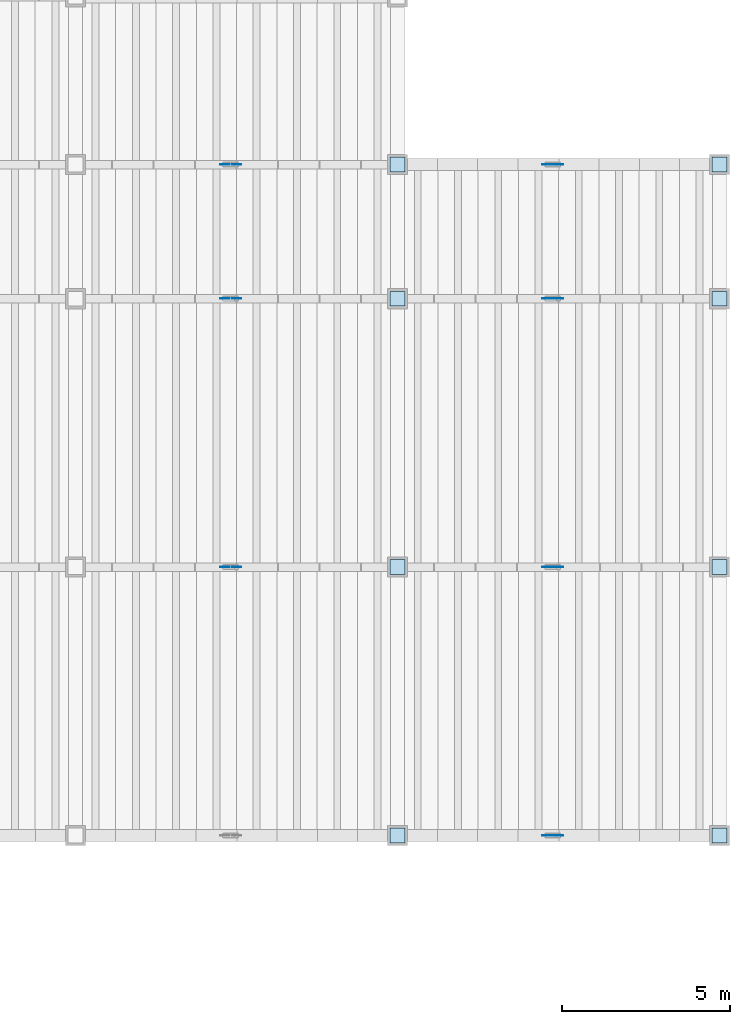
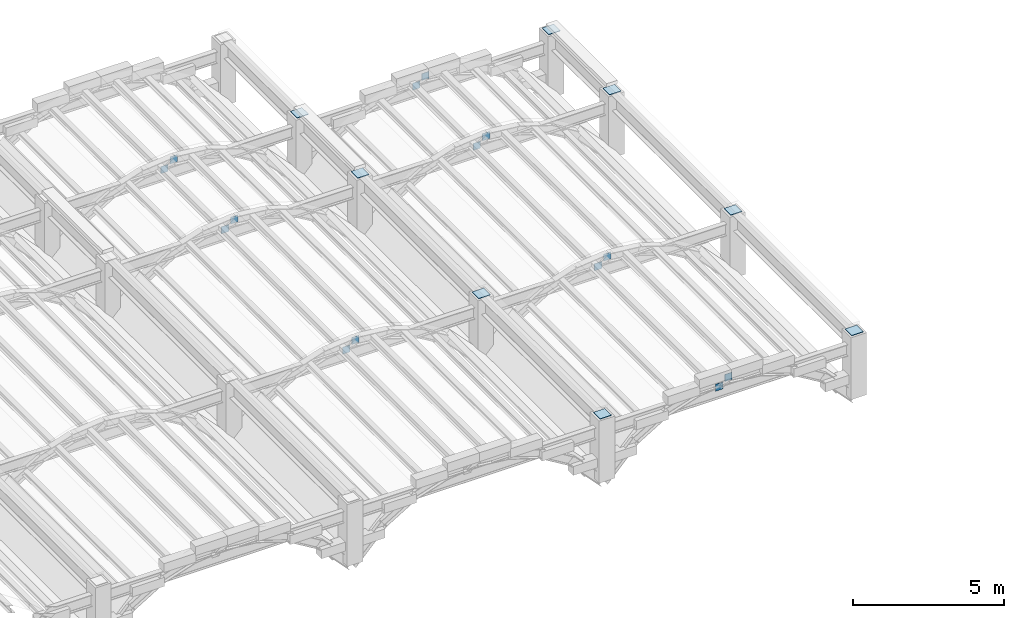
# One storey, part 64 of 70: 22 plates.
"""IFC4 building model written with IfcOpenShell, lengths in metres."""

from ifc_helpers import new_model, si_unit, direction, frame, origin, origin_2d, place, context, subcontext, project, spatial, rectangle, extrude, material, layer, layer_set, type_object, element, save


model = new_model("IFC4")

# Units and contexts
model_context = context("Model", 3, precision=1e-05, world=origin(), true_north=direction((0.0, 1.0)))
body_context = subcontext(model_context, "Body", "Model", "MODEL_VIEW")
ifc_project = project(units=[si_unit("LENGTHUNIT", "METRE"), si_unit("AREAUNIT", "SQUARE_METRE"), si_unit("VOLUMEUNIT", "CUBIC_METRE"), si_unit("PLANEANGLEUNIT", "RADIAN"), si_unit("MASSUNIT", "GRAM", prefix="KILO")], contexts=[model_context])

# Site, building, storey
site_placement = place(None, origin())
site = spatial("IfcSite", under=ifc_project, at=site_placement, CompositionType="ELEMENT")
building_placement = place(site_placement, origin())
building = spatial("IfcBuilding", under=site, at=building_placement, Name="Mavantir Sound Aquarium", CompositionType="ELEMENT")
storey_placement = place(building_placement, frame((0.0, 0.0, 27.0)))
storey = spatial("IfcBuildingStorey", under=building, at=storey_placement, Name="RF", CompositionType="ELEMENT", Elevation=27.0)

# Plates
ifc_material = material(Name="Structural Steel ASTM A572 Gr50", Category="steel")
ifc_layer_1 = layer(ifc_material, 0.02001953125, Name="Structural Steel ASTM A572 Gr50")
ifc_layer_set_1 = layer_set([ifc_layer_1], Name="Structural Steel ASTM A572 Gr50")
plate_type_1 = type_object("IfcPlateType", Name="PLT-ENDCAP-20", PredefinedType="SHEET", material=ifc_layer_set_1)
for number, where, z_axis, x_axis, name in (
    (1, (165.60009765625, 40.800048828125, -4.699951171875), (0.0, 0.0, 1.0), (1.0, 0.0, 0.0), "Ridge column cap plate 7.41"),
    (2, (165.60009765625, 48.800048828125, -4.699951171875), (0.0, 0.0, 1.0), (1.0, 0.0, 0.0), "Ridge column cap plate 7.49"),
    (3, (165.60009765625, 56.800048828125, -4.699951171875), (0.0, 0.0, 1.0), (1.0, 0.0, 0.0), "Ridge column cap plate 7.57"),
    (4, (165.60009765625, 60.800048828125, -4.699951171875), (0.0, 0.0, 1.0), (1.0, 0.0, 0.0), "Ridge column cap plate 7.61"),
    (5, (175.199951171875, 40.800048828125, -4.699951171875), (0.0, 0.0, 1.0), (1.0, 0.0, 0.0), "Ridge column cap plate 8.41"),
    (6, (175.199951171875, 48.800048828125, -4.699951171875), (0.0, 0.0, 1.0), (1.0, 0.0, 0.0), "Ridge column cap plate 8.49"),
    (7, (175.199951171875, 56.800048828125, -4.699951171875), (0.0, 0.0, 1.0), (1.0, 0.0, 0.0), "Ridge column cap plate 8.57"),
    (8, (175.199951171875, 60.800048828125, -4.699951171875), (0.0, 0.0, 1.0), (1.0, 0.0, 0.0), "Ridge column cap plate 8.61"),
):
    element("IfcPlate", number, at=place(storey_placement, frame(where, z_axis=z_axis, x_axis=x_axis)), inside=storey, type_object=plate_type_1, Name=name, PredefinedType="SHEET", context=body_context, shape_type="SweptSolid", body=[
        extrude(rectangle(XDim=0.43994140625, YDim=0.43994140625, at=origin_2d()), origin(), (0.0, 0.0, 1.0), 0.02001953125),
    ])
ifc_layer_2 = layer(ifc_material, 0.01611328125, Name="Structural Steel ASTM A572 Gr50")
ifc_layer_set_2 = layer_set([ifc_layer_2], Name="Structural Steel ASTM A572 Gr50")
plate_type_2 = type_object("IfcPlateType", Name="PLT-GUSSET-16", PredefinedType="SHEET", material=ifc_layer_set_2)
for number, where, z_axis, x_axis, name in (
    (9, (160.449951171875, 48.800048828125, -5.283203125), (0.0, 0.0, 1.0), (1.0, 0.0, 0.0), "Brace end gusset plate GP-01 153"),
    (10, (160.800048828125, 48.800048828125, -5.0166015625), (0.0, 0.0, 1.0), (1.0, 0.0, 0.0), "Brace end gusset plate GP-01 154"),
    (11, (160.449951171875, 56.800048828125, -5.283203125), (0.0, 0.0, 1.0), (1.0, 0.0, 0.0), "Brace end gusset plate GP-01 155"),
    (12, (160.800048828125, 56.800048828125, -5.0166015625), (0.0, 0.0, 1.0), (1.0, 0.0, 0.0), "Brace end gusset plate GP-01 156"),
    (13, (160.449951171875, 60.800048828125, -5.283203125), (0.0, 0.0, 1.0), (1.0, 0.0, 0.0), "Brace end gusset plate GP-01 157"),
    (14, (160.800048828125, 60.800048828125, -5.0166015625), (0.0, 0.0, 1.0), (1.0, 0.0, 0.0), "Brace end gusset plate GP-01 158"),
    (15, (170.050048828125, 40.800048828125, -5.283203125), (0.0, 0.0, 1.0), (1.0, 0.0, 0.0), "Brace end gusset plate GP-01 161"),
    (16, (170.39990234375, 40.800048828125, -5.0166015625), (0.0, 0.0, 1.0), (1.0, 0.0, 0.0), "Brace end gusset plate GP-01 162"),
    (17, (170.050048828125, 48.800048828125, -5.283203125), (0.0, 0.0, 1.0), (1.0, 0.0, 0.0), "Brace end gusset plate GP-01 163"),
    (18, (170.39990234375, 48.800048828125, -5.0166015625), (0.0, 0.0, 1.0), (1.0, 0.0, 0.0), "Brace end gusset plate GP-01 164"),
    (19, (170.050048828125, 56.800048828125, -5.283203125), (0.0, 0.0, 1.0), (1.0, 0.0, 0.0), "Brace end gusset plate GP-01 165"),
    (20, (170.39990234375, 56.800048828125, -5.0166015625), (0.0, 0.0, 1.0), (1.0, 0.0, 0.0), "Brace end gusset plate GP-01 166"),
    (21, (170.050048828125, 60.800048828125, -5.283203125), (0.0, 0.0, 1.0), (1.0, 0.0, 0.0), "Brace end gusset plate GP-01 167"),
    (22, (170.39990234375, 60.800048828125, -5.0166015625), (0.0, 0.0, 1.0), (1.0, 0.0, 0.0), "Brace end gusset plate GP-01 168"),
):
    element("IfcPlate", number, at=place(storey_placement, frame(where, z_axis=z_axis, x_axis=x_axis)), inside=storey, type_object=plate_type_2, Name=name, PredefinedType="SHEET", context=body_context, shape_type="SweptSolid", body=[
        extrude(rectangle(XDim=0.280029296875, YDim=0.01611328125, at=origin_2d()), origin(), (0.0, 0.0, 1.0), 0.280029296875),
    ])

save(model, "model.ifc")
